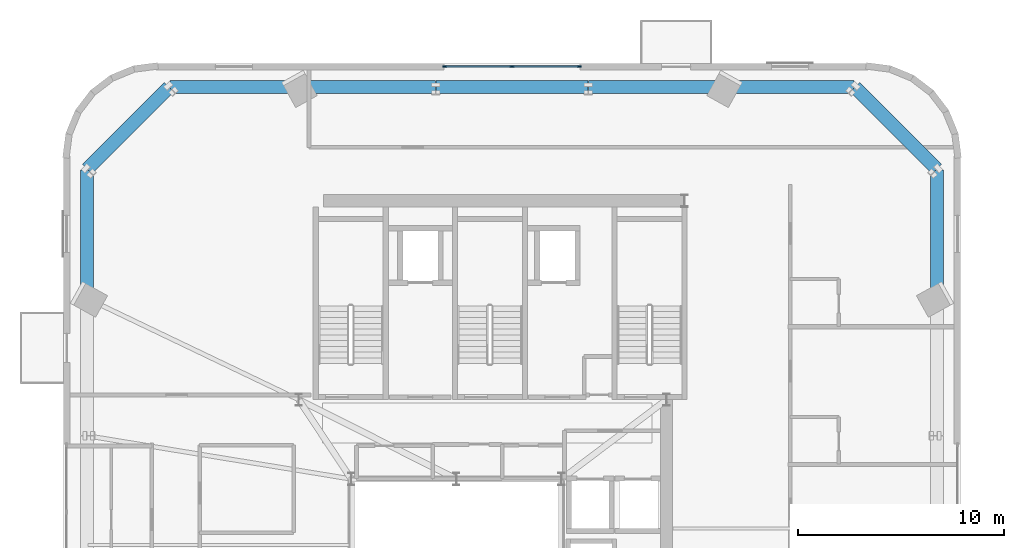
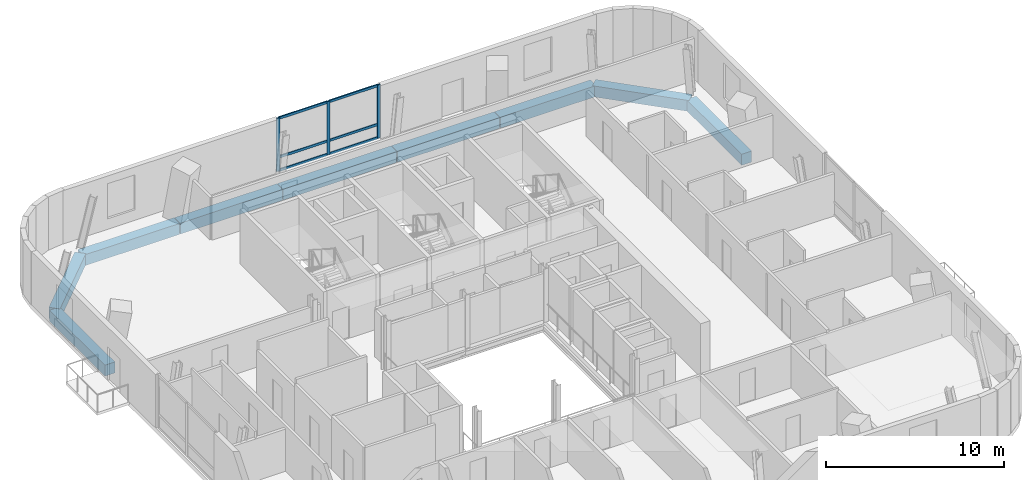
# One storey, part 5 of 14: 9 beams, 9 members, 1 element without a shape of its own.
"""IFC4 building model written with IfcOpenShell, lengths in metres."""

from ifc_helpers import new_model, si_unit, direction, frame, origin, origin_2d, place, context, subcontext, project, spatial, rectangle, extrude, source, transform, mapped, material, material_profile, profile_set, type_object, element, aggregate, save


model = new_model("IFC4")

# Units and contexts
model_context = context("Model", 3, precision=1e-05, world=origin(), true_north=direction((0.0, 1.0)))
body_context = subcontext(model_context, "Body", "Model", "MODEL_VIEW")
ifc_project = project(units=[si_unit("LENGTHUNIT", "METRE"), si_unit("AREAUNIT", "SQUARE_METRE"), si_unit("VOLUMEUNIT", "CUBIC_METRE"), si_unit("PLANEANGLEUNIT", "RADIAN"), si_unit("MASSUNIT", "GRAM", prefix="KILO")], contexts=[model_context])

# Site, building, storey
site_placement = place(None, origin())
site = spatial("IfcSite", under=ifc_project, at=site_placement, CompositionType="ELEMENT")
building_placement = place(site_placement, origin())
building = spatial("IfcBuilding", under=site, at=building_placement, Name="Vardaveli Station Tower", CompositionType="ELEMENT")
storey_placement = place(building_placement, frame((0.0, 0.0, 266.39990234375)))
storey = spatial("IfcBuildingStorey", under=building, at=storey_placement, Name="L68", CompositionType="ELEMENT", Elevation=266.39990234375)

# Beams
ifc_material_1 = material(Name="Precast concrete C45/55", Category="concrete")
ifc_material_profile_1 = material_profile(ifc_material_1, rectangle(XDim=0.64990234375, YDim=0.75, at=origin_2d()), Name="LPB 650x750")
ifc_profile_set_1 = profile_set([ifc_material_profile_1], Name="Precast concrete C45/55")
beam_type = type_object("IfcBeamType", Name="BM-LPB-750", PredefinedType="BEAM", material=ifc_profile_set_1)
shared_shape_1 = source(origin(), body_context, "Body", "SweptSolid", [
    extrude(rectangle(XDim=0.64990234375, YDim=0.75, at=origin_2d()), origin(), (0.0, 0.0, 1.0), 7.35986328125),
])
beam_placement = place(storey_placement, frame((42.679931640625, 45.830078125, -0.6748046875), z_axis=(-1.0, 0.0, 0.0), x_axis=(0.0, -1.0, 0.0)))
element("IfcBeam", 1, at=beam_placement, inside=storey, type_object=beam_type, Name="RBM-L68-14", PredefinedType="BEAM", context=body_context, shape_type="MappedRepresentation", body=[
    mapped(shared_shape_1, transform((0.0, 0.0, 0.0), scale=1.0)),
])
shared_shape_2 = source(origin(), body_context, "Body", "SweptSolid", [
    extrude(rectangle(XDim=0.64990234375, YDim=0.75, at=origin_2d()), origin(), (0.0, 0.0, 1.0), 5.616943359375),
])
for number, where, z_axis, x_axis, name in (
    (2, (59.615966796875, 41.84423828125, -0.6748046875), (-0.707128513243, 0.707085048462, 0.0), (-0.707085048462, -0.707128513243, 0.0), "RBM-L68-11"),
    (3, (22.35595703125, 45.81591796875, -0.6748046875), (-0.707128513243, -0.707085048462, 0.0), (0.707085048462, -0.707128513243, 0.0), "RBM-L68-17"),
):
    element("IfcBeam", number, at=place(storey_placement, frame(where, z_axis=z_axis, x_axis=x_axis)), inside=storey, type_object=beam_type, Name=name, PredefinedType="BEAM", context=body_context, shape_type="MappedRepresentation", body=[
        mapped(shared_shape_2, transform((0.0, 0.0, 0.0), scale=1.0)),
    ])
shared_shape_3 = source(origin(), body_context, "Body", "SweptSolid", [
    extrude(rectangle(XDim=0.64990234375, YDim=0.75, at=origin_2d()), origin(), (0.0, 0.0, 1.0), 6.6279296875),
])
for number, where, z_axis, x_axis, name in (
    (4, (49.347900390625, 45.830078125, -0.6748046875), (-1.0, 0.0, 0.0), (0.0, -1.0, 0.0), "RBM-L68-13"),
    (5, (35.280029296875, 45.830078125, -0.6748046875), (-1.0, 0.0, 0.0), (0.0, -1.0, 0.0), "RBM-L68-15"),
):
    element("IfcBeam", number, at=place(storey_placement, frame(where, z_axis=z_axis, x_axis=x_axis)), inside=storey, type_object=beam_type, Name=name, PredefinedType="BEAM", context=body_context, shape_type="MappedRepresentation", body=[
        mapped(shared_shape_3, transform((0.0, 0.0, 0.0), scale=1.0)),
    ])
shared_shape_4 = source(origin(), body_context, "Body", "SweptSolid", [
    extrude(rectangle(XDim=0.64990234375, YDim=0.75, at=origin_2d()), origin(), (0.0, 0.0, 1.0), 6.22216796875),
])
for number, where, z_axis, x_axis, name in (
    (6, (59.6298828125, 35.587890625, -0.6748046875), (0.0, 1.0, 0.0), (-1.0, 0.0, 0.0), "RBM-L68-10"),
    (7, (55.610107421875, 45.830078125, -0.6748046875), (-1.0, 0.0, 0.0), (0.0, -1.0, 0.0), "RBM-L68-12"),
    (8, (28.612060546875, 45.830078125, -0.6748046875), (-1.0, 0.0, 0.0), (0.0, -1.0, 0.0), "RBM-L68-16"),
    (9, (18.3701171875, 41.81005859375, -0.6748046875), (0.0, -1.0, 0.0), (1.0, 0.0, 0.0), "RBM-L68-18"),
):
    element("IfcBeam", number, at=place(storey_placement, frame(where, z_axis=z_axis, x_axis=x_axis)), inside=storey, type_object=beam_type, Name=name, PredefinedType="BEAM", context=body_context, shape_type="MappedRepresentation", body=[
        mapped(shared_shape_4, transform((0.0, 0.0, 0.0), scale=1.0)),
    ])

# Curtain wall, members
ifc_material_2 = material(Name="Travertine stone and solar-control glass", Category="masonry")
curtain_wall_type = type_object("IfcCurtainWallType", Name="CW-SYS-5", PredefinedType="NOTDEFINED", material=ifc_material_2)
curtain_wall_placement = place(storey_placement, origin())
curtain_wall = element("IfcCurtainWall", 10, at=curtain_wall_placement, inside=storey, type_object=curtain_wall_type, Name="CW-L68-N", PredefinedType="NOTDEFINED")
ifc_material_3 = material(Name="Anodised aluminium alloy 6063-T6", Category="aluminium")
ifc_material_profile_2 = material_profile(ifc_material_3, rectangle(XDim=0.080078125, YDim=0.1650390625, at=origin_2d()), Name="CWT 80x165")
ifc_profile_set_2 = profile_set([ifc_material_profile_2], Name="Anodised aluminium alloy 6063-T6")
member_type_1 = type_object("IfcMemberType", Name="CW-SYS-5-TRAN", PredefinedType="NOTDEFINED", material=ifc_profile_set_2)
shared_shape_5 = source(origin(), body_context, "Body", "SweptSolid", [
    extrude(rectangle(XDim=0.080078125, YDim=0.1650390625, at=origin_2d()), origin(), (0.0, 0.0, 1.0), 3.179931640625),
])
member_1_placement = place(storey_placement, frame((42.219970703125, 46.820068359375, 0.0400390625), z_axis=(-1.0, 0.0, 0.0), x_axis=(0.0, -1.0, 0.0)))
member_1 = element("IfcMember", 11, at=member_1_placement, type_object=member_type_1, Name="CW-5 transom 1.1", ObjectType="TRANSOM", PredefinedType="USERDEFINED", context=body_context, shape_type="MappedRepresentation", body=[
    mapped(shared_shape_5, transform((0.0, 0.0, 0.0), scale=1.0)),
])
member_2_placement = place(storey_placement, frame((42.219970703125, 46.820068359375, 0.9501953125), z_axis=(-1.0, 0.0, 0.0), x_axis=(0.0, -1.0, 0.0)))
member_2 = element("IfcMember", 12, at=member_2_placement, type_object=member_type_1, Name="CW-5 transom 1.2", ObjectType="TRANSOM", PredefinedType="USERDEFINED", context=body_context, shape_type="MappedRepresentation", body=[
    mapped(shared_shape_5, transform((0.0, 0.0, 0.0), scale=1.0)),
])
member_3_placement = place(storey_placement, frame((42.219970703125, 46.820068359375, 3.610107421875), z_axis=(-1.0, 0.0, 0.0), x_axis=(0.0, -1.0, 0.0)))
member_3 = element("IfcMember", 13, at=member_3_placement, type_object=member_type_1, Name="CW-5 transom 1.3", ObjectType="TRANSOM", PredefinedType="USERDEFINED", context=body_context, shape_type="MappedRepresentation", body=[
    mapped(shared_shape_5, transform((0.0, 0.0, 0.0), scale=1.0)),
])
member_4_placement = place(storey_placement, frame((38.9599609375, 46.820068359375, 0.0400390625), z_axis=(-1.0, 0.0, 0.0), x_axis=(0.0, -1.0, 0.0)))
member_4 = element("IfcMember", 14, at=member_4_placement, type_object=member_type_1, Name="CW-5 transom 2.1", ObjectType="TRANSOM", PredefinedType="USERDEFINED", context=body_context, shape_type="MappedRepresentation", body=[
    mapped(shared_shape_5, transform((0.0, 0.0, 0.0), scale=1.0)),
])
member_5_placement = place(storey_placement, frame((38.9599609375, 46.820068359375, 0.9501953125), z_axis=(-1.0, 0.0, 0.0), x_axis=(0.0, -1.0, 0.0)))
member_5 = element("IfcMember", 15, at=member_5_placement, type_object=member_type_1, Name="CW-5 transom 2.2", ObjectType="TRANSOM", PredefinedType="USERDEFINED", context=body_context, shape_type="MappedRepresentation", body=[
    mapped(shared_shape_5, transform((0.0, 0.0, 0.0), scale=1.0)),
])
member_6_placement = place(storey_placement, frame((38.9599609375, 46.820068359375, 3.610107421875), z_axis=(-1.0, 0.0, 0.0), x_axis=(0.0, -1.0, 0.0)))
member_6 = element("IfcMember", 16, at=member_6_placement, type_object=member_type_1, Name="CW-5 transom 2.3", ObjectType="TRANSOM", PredefinedType="USERDEFINED", context=body_context, shape_type="MappedRepresentation", body=[
    mapped(shared_shape_5, transform((0.0, 0.0, 0.0), scale=1.0)),
])
ifc_material_profile_3 = material_profile(ifc_material_3, rectangle(XDim=0.080078125, YDim=0.205078125, at=origin_2d()), Name="CWM 80x205")
ifc_profile_set_3 = profile_set([ifc_material_profile_3], Name="Anodised aluminium alloy 6063-T6")
member_type_2 = type_object("IfcMemberType", Name="CW-SYS-5-MULL", PredefinedType="MULLION", material=ifc_profile_set_3)
shared_shape_6 = source(origin(), body_context, "Body", "SweptSolid", [
    extrude(rectangle(XDim=0.080078125, YDim=0.205078125, at=origin_2d()), origin(), (0.0, 0.0, 1.0), 3.650146484375),
])
member_7_placement = place(storey_placement, frame((42.260009765625, 46.820068359375, 0.0), z_axis=(0.0, 0.0, 1.0), x_axis=(0.0, -1.0, 0.0)))
member_7 = element("IfcMember", 17, at=member_7_placement, type_object=member_type_2, Name="CW-5 mullion 1", PredefinedType="MULLION", context=body_context, shape_type="MappedRepresentation", body=[
    mapped(shared_shape_6, transform((0.0, 0.0, 0.0), scale=1.0)),
])
member_8_placement = place(storey_placement, frame((39.0, 46.820068359375, 0.0), z_axis=(0.0, 0.0, 1.0), x_axis=(0.0, -1.0, 0.0)))
member_8 = element("IfcMember", 18, at=member_8_placement, type_object=member_type_2, Name="CW-5 mullion 2", PredefinedType="MULLION", context=body_context, shape_type="MappedRepresentation", body=[
    mapped(shared_shape_6, transform((0.0, 0.0, 0.0), scale=1.0)),
])
member_9_placement = place(storey_placement, frame((35.739990234375, 46.820068359375, 0.0), z_axis=(0.0, 0.0, 1.0), x_axis=(0.0, -1.0, 0.0)))
member_9 = element("IfcMember", 19, at=member_9_placement, type_object=member_type_2, Name="CW-5 mullion 3", PredefinedType="MULLION", context=body_context, shape_type="MappedRepresentation", body=[
    mapped(shared_shape_6, transform((0.0, 0.0, 0.0), scale=1.0)),
])
aggregate(curtain_wall, [member_7, member_8, member_9, member_1, member_2, member_3, member_4, member_5, member_6])

save(model, "model.ifc")
